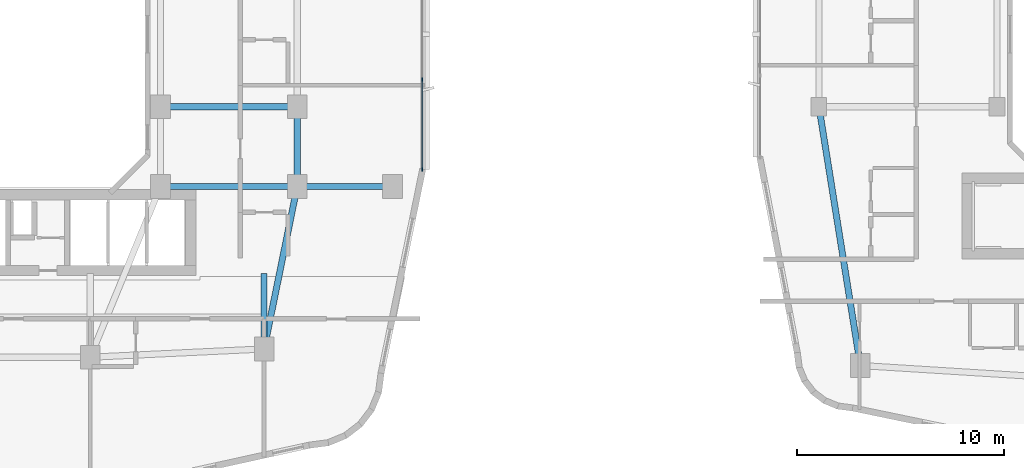
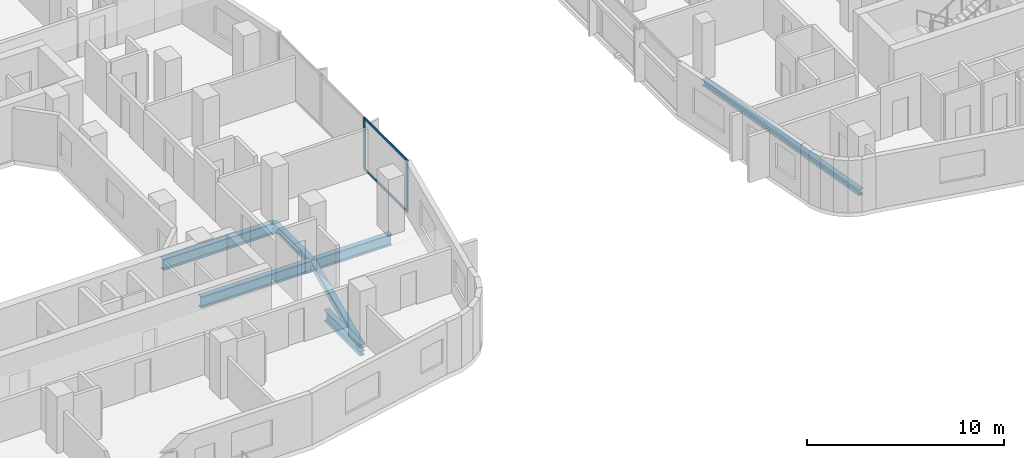
# One storey, part 3 of 22: 7 beams, 4 members, 1 element without a shape of its own.
"""IFC4 building model written with IfcOpenShell, lengths in metres."""

from ifc_helpers import new_model, si_unit, derived_unit, direction, frame, origin, origin_2d, place, context, subcontext, project, spatial, rectangle, i_section, extrude, material, layer, layer_set, material_profile, profile_set, type_object, element, aggregate, save


model = new_model("IFC4")

# Units and contexts
model_context = context("Model", 3, precision=1e-05, world=origin(), true_north=direction((0.0, 1.0)))
body_context = subcontext(model_context, "Body", "Model", "MODEL_VIEW")
ifc_project = project(units=[si_unit("LENGTHUNIT", "METRE"), si_unit("AREAUNIT", "SQUARE_METRE"), si_unit("VOLUMEUNIT", "CUBIC_METRE"), si_unit("PLANEANGLEUNIT", "RADIAN"), si_unit("MASSUNIT", "GRAM", prefix="KILO"), derived_unit("THERMALTRANSMITTANCEUNIT", [(si_unit("POWERUNIT", "WATT"), 1), (si_unit("LENGTHUNIT", "METRE"), -2), (si_unit("THERMODYNAMICTEMPERATUREUNIT", "KELVIN"), -1)])], contexts=[model_context])

# Site, building, storey
site_placement = place(None, origin())
site = spatial("IfcSite", under=ifc_project, at=site_placement, CompositionType="ELEMENT")
building_placement = place(site_placement, origin())
building = spatial("IfcBuilding", under=site, at=building_placement, Name="Kivonza Crest Hotel", CompositionType="ELEMENT")
storey_placement = place(building_placement, frame((0.0, 0.0, 59.0)))
storey = spatial("IfcBuildingStorey", under=building, at=storey_placement, Name="L15", CompositionType="ELEMENT", Elevation=59.0)

# Beams
ifc_material_1 = material(Name="Steel S355", Category="steel")
ifc_material_profile_1 = material_profile(ifc_material_1, i_section(OverallWidth=0.300048828125, OverallDepth=0.360107421875, WebThickness=0.012451171875, FlangeThickness=0.0224609375, FilletRadius=0.027099609375, at=origin_2d()), Name="HEB 360")
ifc_profile_set_1 = profile_set([ifc_material_profile_1], Name="Steel S355")
beam_type_1 = type_object("IfcBeamType", Name="BM-HEB360", PredefinedType="SPANDREL", material=ifc_profile_set_1)
beam_1_placement = place(storey_placement, frame((61.0, 21.5, -0.429931640625), z_axis=(0.157990501107, -0.987440631917, 0.0), x_axis=(0.987440631917, 0.157990501107, 0.0)))
element("IfcBeam", 1, at=beam_1_placement, inside=storey, type_object=beam_type_1, Name="Companion Tower T2 L15 perimeter spandrel W1-SW", PredefinedType="SPANDREL", context=body_context, shape_type="SweptSolid", body=[
    extrude(i_section(OverallWidth=0.300048828125, OverallDepth=0.360107421875, WebThickness=0.012451171875, FlangeThickness=0.0224609375, FilletRadius=0.027099609375, at=origin_2d()), origin(), (0.0, 0.0, 1.0), 12.658935546875),
])
ifc_material_profile_2 = material_profile(ifc_material_1, i_section(OverallWidth=0.300048828125, OverallDepth=0.449951171875, WebThickness=0.013916015625, FlangeThickness=0.02587890625, FilletRadius=0.027099609375, at=origin_2d()), Name="HEB 450")
ifc_profile_set_2 = profile_set([ifc_material_profile_2], Name="Steel S355")
beam_type_2 = type_object("IfcBeamType", Name="BM-HEB450", PredefinedType="SPANDREL", material=ifc_profile_set_2)
beam_2_placement = place(storey_placement, frame((34.199951171875, 9.800048828125, -0.5048828125), z_axis=(0.199730733965, 0.979850822273, 0.0), x_axis=(-0.979850822273, 0.199730733965, 0.0)))
element("IfcBeam", 2, at=beam_2_placement, inside=storey, type_object=beam_type_2, Name="Tower T1 L15 perimeter spandrel SE-PSE", PredefinedType="SPANDREL", context=body_context, shape_type="SweptSolid", body=[
    extrude(i_section(OverallWidth=0.300048828125, OverallDepth=0.449951171875, WebThickness=0.013916015625, FlangeThickness=0.02587890625, FilletRadius=0.027099609375, at=origin_2d()), origin(), (0.0, 0.0, 1.0), 8.01123046875),
])
beam_3_placement = place(storey_placement, frame((35.800048828125, 17.64990234375, -0.5048828125), z_axis=(0.0, 1.0, 0.0), x_axis=(-1.0, 0.0, 0.0)))
element("IfcBeam", 3, at=beam_3_placement, inside=storey, type_object=beam_type_2, Name="Tower T1 L15 perimeter spandrel PSE-E1", PredefinedType="SPANDREL", context=body_context, shape_type="SweptSolid", body=[
    extrude(i_section(OverallWidth=0.300048828125, OverallDepth=0.449951171875, WebThickness=0.013916015625, FlangeThickness=0.02587890625, FilletRadius=0.027099609375, at=origin_2d()), origin(), (0.0, 0.0, 1.0), 3.85009765625),
])
ifc_material_profile_3 = material_profile(ifc_material_1, i_section(OverallWidth=0.300048828125, OverallDepth=0.699951171875, WebThickness=0.01708984375, FlangeThickness=0.031982421875, FilletRadius=0.027099609375, at=origin_2d()), Name="HEB 700")
ifc_profile_set_3 = profile_set([ifc_material_profile_3], Name="Steel S355")
beam_type_3 = type_object("IfcBeamType", Name="BM-HEB700", PredefinedType="BEAM", material=ifc_profile_set_3)
for number, where, z_axis, x_axis, name in (
    (4, (29.199951171875, 17.64990234375, -0.6298828125), (1.0, 0.0, 0.0), (0.0, 1.0, 0.0), "Tower T1 L15 primary girder TSE-PSE"),
    (5, (29.199951171875, 21.5, -0.6298828125), (1.0, 0.0, 0.0), (0.0, 1.0, 0.0), "Tower T1 L15 primary girder WR1-E1"),
):
    element("IfcBeam", number, at=place(storey_placement, frame(where, z_axis=z_axis, x_axis=x_axis)), inside=storey, type_object=beam_type_3, Name=name, PredefinedType="BEAM", context=body_context, shape_type="SweptSolid", body=[
        extrude(i_section(OverallWidth=0.300048828125, OverallDepth=0.699951171875, WebThickness=0.01708984375, FlangeThickness=0.031982421875, FilletRadius=0.027099609375, at=origin_2d()), origin(), (0.0, 0.0, 1.0), 6.60009765625),
    ])
beam_4_placement = place(storey_placement, frame((40.39990234375, 17.64990234375, -0.6298828125), z_axis=(-1.0, 0.0, 0.0), x_axis=(0.0, -1.0, 0.0)))
element("IfcBeam", 6, at=beam_4_placement, inside=storey, type_object=beam_type_3, Name="Tower T1 L15 outer bay girder ZE1", PredefinedType="BEAM", context=body_context, shape_type="SweptSolid", body=[
    extrude(i_section(OverallWidth=0.300048828125, OverallDepth=0.699951171875, WebThickness=0.01708984375, FlangeThickness=0.031982421875, FilletRadius=0.027099609375, at=origin_2d()), origin(), (0.0, 0.0, 1.0), 4.599853515625),
])
beam_5_placement = place(storey_placement, frame((34.199951171875, 9.800048828125, -0.6298828125), z_axis=(0.0, 1.0, 0.0), x_axis=(-1.0, 0.0, 0.0)))
element("IfcBeam", 7, at=beam_5_placement, inside=storey, type_object=beam_type_3, Name="Tower T1 L15 radial core girder RSE", PredefinedType="BEAM", context=body_context, shape_type="SweptSolid", body=[
    extrude(i_section(OverallWidth=0.300048828125, OverallDepth=0.699951171875, WebThickness=0.01708984375, FlangeThickness=0.031982421875, FilletRadius=0.027099609375, at=origin_2d()), origin(), (0.0, 0.0, 1.0), 3.64990234375),
])

# Curtain wall, members
ifc_material_2 = material(Name="Anodised bronze aluminium and low-E double glazing", Category="aluminium")
ifc_layer = layer(ifc_material_2, 0.179931640625)
ifc_layer_set = layer_set([ifc_layer], Name="Anodised bronze aluminium and low-E double glazing")
curtain_wall_type = type_object("IfcCurtainWallType", Name="CW-SYS-2", PredefinedType="NOTDEFINED", material=ifc_layer_set)
curtain_wall_placement = place(storey_placement, origin())
curtain_wall = element("IfcCurtainWall", 8, at=curtain_wall_placement, inside=storey, type_object=curtain_wall_type, Name="L15 unitised curtain wall CW-T1-L15-17", PredefinedType="NOTDEFINED")
ifc_material_3 = material(Name="Anodised bronze aluminium", Category="aluminium")
ifc_material_profile_4 = material_profile(ifc_material_3, rectangle(XDim=0.06494140625, YDim=0.179931640625, at=origin_2d()), Name="CW-M 65x180")
ifc_profile_set_4 = profile_set([ifc_material_profile_4], Name="Anodised bronze aluminium")
member_type_1 = type_object("IfcMemberType", Name="CW-MUL-65x180", PredefinedType="MULLION", material=ifc_profile_set_4)
member_1_placement = place(storey_placement, frame((41.840087890625, 18.472412109375, 0.0), z_axis=(0.0, 0.0, 1.0), x_axis=(-1.0, 0.0, 0.0)))
member_1 = element("IfcMember", 9, at=member_1_placement, type_object=member_type_1, Name="CW-2 mullion 1", PredefinedType="MULLION", context=body_context, shape_type="SweptSolid", body=[
    extrude(rectangle(XDim=0.06494140625, YDim=0.179931640625, at=origin_2d()), origin(), (0.0, 0.0, 1.0), 3.219970703125),
])
member_2_placement = place(storey_placement, frame((41.840087890625, 22.813232421875, 0.0), z_axis=(0.0, 0.0, 1.0), x_axis=(-1.0, 0.0, 0.0)))
member_2 = element("IfcMember", 10, at=member_2_placement, type_object=member_type_1, Name="CW-2 mullion 2", PredefinedType="MULLION", context=body_context, shape_type="SweptSolid", body=[
    extrude(rectangle(XDim=0.06494140625, YDim=0.179931640625, at=origin_2d()), origin(), (0.0, 0.0, 1.0), 3.219970703125),
])
ifc_material_profile_5 = material_profile(ifc_material_3, rectangle(XDim=0.06494140625, YDim=0.139892578125, at=origin_2d()), Name="CW-T 65x140")
ifc_profile_set_5 = profile_set([ifc_material_profile_5], Name="Anodised bronze aluminium")
member_type_2 = type_object("IfcMemberType", Name="CW-TRN-65x140", PredefinedType="USERDEFINED", material=ifc_profile_set_5)
member_3_placement = place(storey_placement, frame((41.840087890625, 18.5048828125, 0.032470703125), z_axis=(0.0, 1.0, 0.0), x_axis=(-1.0, 0.0, 0.0)))
member_3 = element("IfcMember", 11, at=member_3_placement, type_object=member_type_2, Name="CW-2 transom 1.1", ObjectType="TRANSOM", PredefinedType="USERDEFINED", context=body_context, shape_type="SweptSolid", body=[
    extrude(rectangle(XDim=0.06494140625, YDim=0.139892578125, at=origin_2d()), origin(), (0.0, 0.0, 1.0), 4.27587890625),
])
member_4_placement = place(storey_placement, frame((41.840087890625, 18.5048828125, 3.1875), z_axis=(0.0, 1.0, 0.0), x_axis=(-1.0, 0.0, 0.0)))
member_4 = element("IfcMember", 12, at=member_4_placement, type_object=member_type_2, Name="CW-2 transom 1.2", ObjectType="TRANSOM", PredefinedType="USERDEFINED", context=body_context, shape_type="SweptSolid", body=[
    extrude(rectangle(XDim=0.06494140625, YDim=0.139892578125, at=origin_2d()), origin(), (0.0, 0.0, 1.0), 4.27587890625),
])
aggregate(curtain_wall, [member_1, member_2, member_3, member_4])

save(model, "model.ifc")
